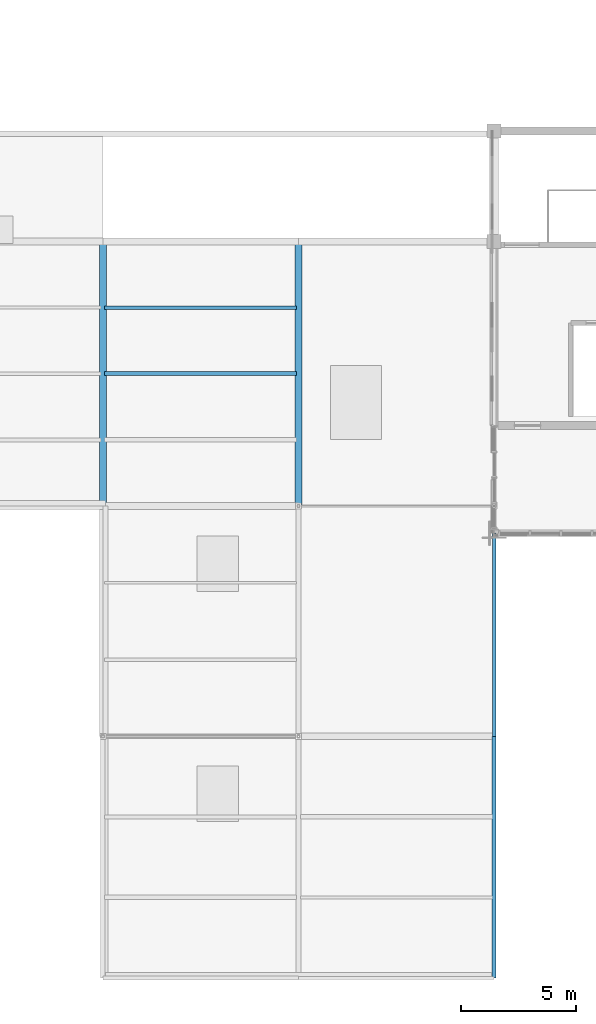
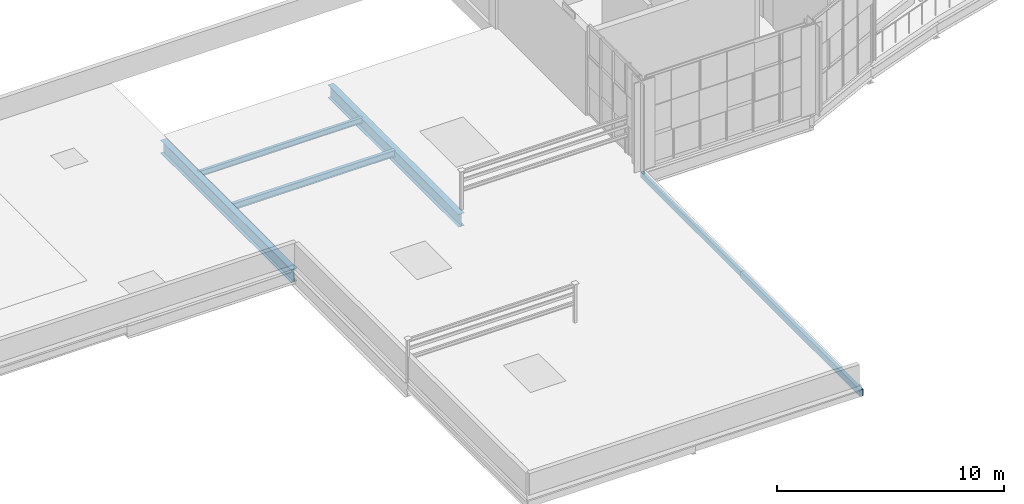
# One storey, part 7 of 35: 6 beams.
"""IFC4 building model written with IfcOpenShell, lengths in metres."""

from ifc_helpers import new_model, si_unit, direction, frame, origin, origin_2d, place, context, subcontext, project, spatial, hollow_rectangle, i_section, extrude, material, material_profile, profile_set, type_object, element, save


model = new_model("IFC4")

# Units and contexts
model_context = context("Model", 3, precision=1e-05, world=origin(), true_north=direction((0.0, 1.0)))
body_context = subcontext(model_context, "Body", "Model", "MODEL_VIEW")
ifc_project = project(units=[si_unit("LENGTHUNIT", "METRE"), si_unit("AREAUNIT", "SQUARE_METRE"), si_unit("VOLUMEUNIT", "CUBIC_METRE"), si_unit("PLANEANGLEUNIT", "RADIAN"), si_unit("MASSUNIT", "GRAM", prefix="KILO")], contexts=[model_context])

# Site, building, storey
site_placement = place(None, origin())
site = spatial("IfcSite", under=ifc_project, at=site_placement, CompositionType="ELEMENT")
building_placement = place(site_placement, origin())
building = spatial("IfcBuilding", under=site, at=building_placement, Name="Solvikara Media Centre", CompositionType="ELEMENT")
storey_placement = place(building_placement, frame((0.0, 0.0, 29.39990234375)))
storey = spatial("IfcBuildingStorey", under=building, at=storey_placement, Name="L06", CompositionType="ELEMENT", Elevation=29.39990234375)

# Beams
ifc_material = material(Name="Steel S355JR", Category="steel")
ifc_material_profile_1 = material_profile(ifc_material, i_section(OverallWidth=0.300048828125, OverallDepth=0.699951171875, WebThickness=0.012939453125, FlangeThickness=0.02392578125, at=origin_2d()), Name="WF 700x300x13x24")
ifc_profile_set_1 = profile_set([ifc_material_profile_1], Name="Steel S355JR")
beam_type_1 = type_object("IfcBeamType", Name="BM-17", PredefinedType="BEAM", material=ifc_profile_set_1)
beam_1_placement = place(storey_placement, frame((51.0, 20.5, -0.581787109375), z_axis=(0.0, 1.0, 0.0), x_axis=(-1.0, 0.0, 0.0)))
element("IfcBeam", 1, at=beam_1_placement, inside=storey, type_object=beam_type_1, Name="B-L06-Y1710", PredefinedType="BEAM", context=body_context, shape_type="SweptSolid", body=[
    extrude(i_section(OverallWidth=0.300048828125, OverallDepth=0.699951171875, WebThickness=0.012939453125, FlangeThickness=0.02392578125, at=origin_2d()), origin(), (0.0, 0.0, 1.0), 11.5),
])
ifc_material_profile_2 = material_profile(ifc_material, i_section(OverallWidth=0.175048828125, OverallDepth=0.35009765625, WebThickness=0.007080078125, FlangeThickness=0.010986328125, at=origin_2d()), Name="WF 350x175x7x11")
ifc_profile_set_2 = profile_set([ifc_material_profile_2], Name="Steel S355JR")
beam_type_2 = type_object("IfcBeamType", Name="BM-22", PredefinedType="JOIST", material=ifc_profile_set_2)
beam_2_placement = place(storey_placement, frame((51.077880859375, 26.25, -0.406982421875), z_axis=(1.0, 0.0, 0.0), x_axis=(0.0, 1.0, 0.0)))
element("IfcBeam", 2, at=beam_2_placement, inside=storey, type_object=beam_type_2, Name="J-L06-1730", PredefinedType="JOIST", context=body_context, shape_type="SweptSolid", body=[
    extrude(i_section(OverallWidth=0.175048828125, OverallDepth=0.35009765625, WebThickness=0.007080078125, FlangeThickness=0.010986328125, at=origin_2d()), origin(), (0.0, 0.0, 1.0), 8.34423828125),
])
ifc_material_profile_3 = material_profile(ifc_material, i_section(OverallWidth=0.14990234375, OverallDepth=0.300048828125, WebThickness=0.006591796875, FlangeThickness=0.009033203125, at=origin_2d()), Name="WF 300x150x6.5x9")
ifc_profile_set_3 = profile_set([ifc_material_profile_3], Name="Steel S355JR")
beam_type_3 = type_object("IfcBeamType", Name="BM-23", PredefinedType="JOIST", material=ifc_profile_set_3)
beam_3_placement = place(storey_placement, frame((51.077880859375, 29.125, -0.3818359375), z_axis=(1.0, 0.0, 0.0), x_axis=(0.0, 1.0, 0.0)))
element("IfcBeam", 3, at=beam_3_placement, inside=storey, type_object=beam_type_3, Name="J-L06-1731", PredefinedType="JOIST", context=body_context, shape_type="SweptSolid", body=[
    extrude(i_section(OverallWidth=0.14990234375, OverallDepth=0.300048828125, WebThickness=0.006591796875, FlangeThickness=0.009033203125, at=origin_2d()), origin(), (0.0, 0.0, 1.0), 8.34423828125),
])
ifc_material_profile_4 = material_profile(ifc_material, i_section(OverallWidth=0.300048828125, OverallDepth=0.69189453125, WebThickness=0.012939453125, FlangeThickness=0.02001953125, at=origin_2d()), Name="H 692x300x13x20")
ifc_profile_set_4 = profile_set([ifc_material_profile_4], Name="Steel S355JR")
beam_type_4 = type_object("IfcBeamType", Name="BM-25", PredefinedType="BEAM", material=ifc_profile_set_4)
beam_4_placement = place(storey_placement, frame((59.5, 20.5, -0.577880859375), z_axis=(0.0, 1.0, 0.0), x_axis=(-1.0, 0.0, 0.0)))
element("IfcBeam", 4, at=beam_4_placement, inside=storey, type_object=beam_type_4, Name="B-L06-Y1713", PredefinedType="BEAM", context=body_context, shape_type="SweptSolid", body=[
    extrude(i_section(OverallWidth=0.300048828125, OverallDepth=0.69189453125, WebThickness=0.012939453125, FlangeThickness=0.02001953125, at=origin_2d()), origin(), (0.0, 0.0, 1.0), 11.5),
])
ifc_material_profile_5 = material_profile(ifc_material, hollow_rectangle(XDim=0.175048828125, YDim=0.35009765625, WallThickness=0.010009765625, at=origin_2d()), Name="RHS 350x175x10")
ifc_profile_set_5 = profile_set([ifc_material_profile_5], Name="Steel S355JR")
beam_type_5 = type_object("IfcBeamType", Name="BM-34", PredefinedType="SPANDREL", material=ifc_profile_set_5)
beam_5_placement = place(storey_placement, frame((68.0, 0.0, -0.406982421875), z_axis=(0.0, 1.0, 0.0), x_axis=(-1.0, 0.0, 0.0)))
element("IfcBeam", 5, at=beam_5_placement, inside=storey, type_object=beam_type_5, Name="B-L06-Y1714", PredefinedType="SPANDREL", context=body_context, shape_type="SweptSolid", body=[
    extrude(hollow_rectangle(XDim=0.175048828125, YDim=0.35009765625, WallThickness=0.010009765625, at=origin_2d()), origin(), (0.0, 0.0, 1.0), 10.5),
])
ifc_material_profile_6 = material_profile(ifc_material, hollow_rectangle(XDim=0.14990234375, YDim=0.300048828125, WallThickness=0.010009765625, at=origin_2d()), Name="RHS 300x150x10")
ifc_profile_set_6 = profile_set([ifc_material_profile_6], Name="Steel S355JR")
beam_type_6 = type_object("IfcBeamType", Name="BM-35", PredefinedType="BEAM", material=ifc_profile_set_6)
beam_6_placement = place(storey_placement, frame((68.0, 10.5, -0.3818359375), z_axis=(0.0, 1.0, 0.0), x_axis=(-1.0, 0.0, 0.0)))
element("IfcBeam", 6, at=beam_6_placement, inside=storey, type_object=beam_type_6, Name="B-L06-Y1715", PredefinedType="BEAM", context=body_context, shape_type="SweptSolid", body=[
    extrude(hollow_rectangle(XDim=0.14990234375, YDim=0.300048828125, WallThickness=0.010009765625, at=origin_2d()), origin(), (0.0, 0.0, 1.0), 8.823974609375),
])

save(model, "model.ifc")
